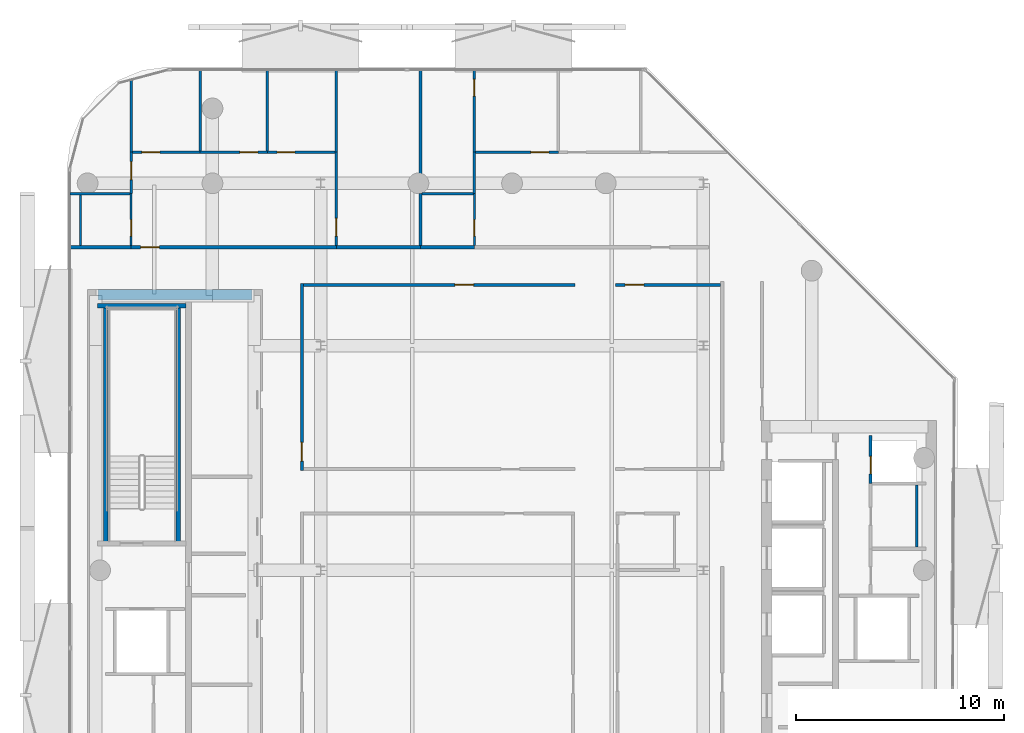
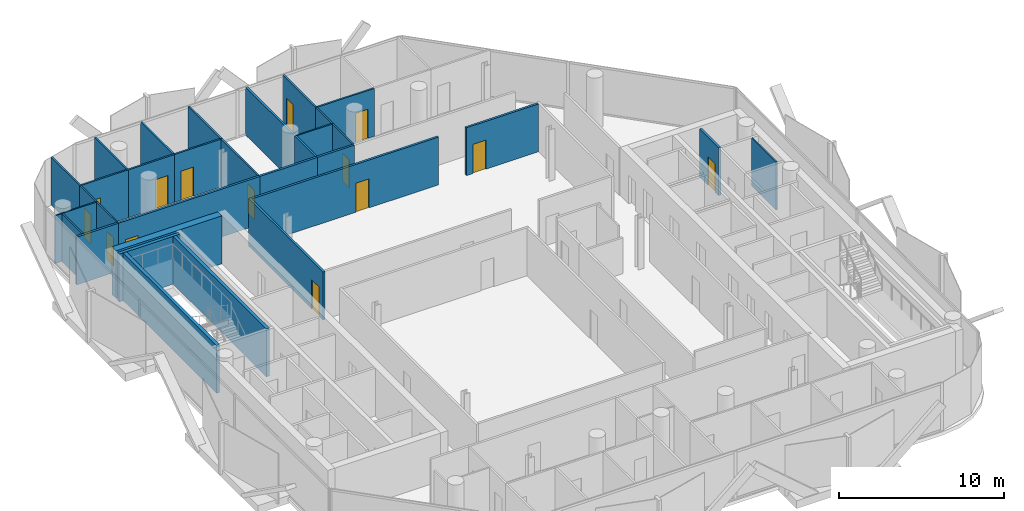
# One storey, part 7 of 17: 32 walls, 14 doors, 14 openings.
"""IFC4 building model written with IfcOpenShell, lengths in metres."""

from ifc_helpers import new_model, si_unit, direction, frame, frame_2d, origin, place, context, subcontext, project, spatial, rectangle, extrude, material, layer, layer_set, type_object, element, fill, save


model = new_model("IFC4")

# Units and contexts
model_context = context("Model", 3, precision=1e-05, world=origin(), true_north=direction((0.0, 1.0)))
body_context = subcontext(model_context, "Body", "Model", "MODEL_VIEW")
ifc_project = project(units=[si_unit("LENGTHUNIT", "METRE"), si_unit("AREAUNIT", "SQUARE_METRE"), si_unit("VOLUMEUNIT", "CUBIC_METRE"), si_unit("PLANEANGLEUNIT", "RADIAN"), si_unit("MASSUNIT", "GRAM", prefix="KILO")], contexts=[model_context])

# Site, building, storey
site_placement = place(None, origin())
site = spatial("IfcSite", under=ifc_project, at=site_placement, CompositionType="ELEMENT")
building_placement = place(site_placement, origin())
building = spatial("IfcBuilding", under=site, at=building_placement, Name="Khairoan Windgate Tower", CompositionType="ELEMENT")
storey_placement = place(building_placement, frame((0.0, 0.0, 308.0)))
storey = spatial("IfcBuildingStorey", under=building, at=storey_placement, Name="L74", CompositionType="ELEMENT", Elevation=308.0)

# Wall
ifc_material_1 = material(Name="Moisture-Resistant Gypsum Partition", Category="gypsum")
ifc_layer_1 = layer(ifc_material_1, 0.10009765625, Name="Moisture-Resistant Gypsum Partition")
ifc_layer_set_1 = layer_set([ifc_layer_1], Name="Moisture-Resistant Gypsum Partition")
wall_type_1 = type_object("IfcWallType", Name="Bathroom Wet-Area Partition Wall", PredefinedType="PARTITIONING", material=ifc_layer_set_1)
wall_1_placement = place(storey_placement, frame((-21.2548828125, 18.10009765625, 0.0), z_axis=(0.0, 0.0, 1.0), x_axis=(1.0, 0.0, 0.0)))
element("IfcWall", 1, at=wall_1_placement, inside=storey, type_object=wall_type_1, Name="L74 Interior Partition 040", PredefinedType="PARTITIONING", context=body_context, shape_type="SweptSolid", body=[
    extrude(rectangle(XDim=2.894775390625, YDim=0.10009765625, at=frame_2d((1.447265625, 0.0))), origin(), (0.0, 0.0, 1.0), 3.5400390625),
])

# Wall, opening, door
wall_2_placement = place(storey_placement, frame((-18.31005859375, 15.60009765625, 0.0), z_axis=(0.0, 0.0, 1.0), x_axis=(0.0, 1.0, 0.0)))
wall_2 = element("IfcWall", 2, at=wall_2_placement, inside=storey, type_object=wall_type_1, Name="L74 Interior Partition 041", PredefinedType="PARTITIONING", context=body_context, shape_type="SweptSolid", body=[
    extrude(rectangle(XDim=2.5, YDim=0.10009765625, at=frame_2d((1.25, 0.0))), origin(), (0.0, 0.0, 1.0), 3.5400390625),
])
opening_1_placement = place(wall_2_placement, frame((0.4599609375, 0.0, 0.0)))
opening_1 = element("IfcOpeningElement", 3, at=opening_1_placement, cuts=wall_2, Name="Opening ID-BTH", PredefinedType="OPENING", context=body_context, shape_type="SweptSolid", body=[
    extrude(rectangle(XDim=0.800048828125, YDim=2.10009765625, at=frame_2d((0.39990234375, 1.050048828125))), frame((0.0, 0.06005859375, 0.0), z_axis=(0.0, -1.0, 0.0), x_axis=(1.0, 0.0, 0.0)), (0.0, 0.0, 1.0), 0.1201171875),
])
ifc_material_2 = material(Name="Teak Veneer Timber Leaf", Category="wood")
door_type_1 = type_object("IfcDoorType", Name="Internal Bathroom Door ID-BTH 800x2100", OperationType="NOTDEFINED", PredefinedType="DOOR", material=ifc_material_2)
door_1_placement = place(opening_1_placement, origin())
door_1 = element("IfcDoor", 4, at=door_1_placement, inside=storey, type_object=door_type_1, Name="L74 L74-35-L74-37 Door", OperationType="SINGLE_SWING_LEFT", OverallHeight=2.10009765625, OverallWidth=0.800048828125, PredefinedType="DOOR", context=body_context, shape_type="SweptSolid", body=[
    extrude(rectangle(XDim=0.800048828125, YDim=2.10009765625, at=frame_2d((0.39990234375, 1.050048828125))), frame((0.0, 0.02490234375, 0.0), z_axis=(0.0, -1.0, 0.0), x_axis=(1.0, 0.0, 0.0)), (0.0, 0.0, 1.0), 0.050048828125),
])
fill(opening_1, door_1)

# Wall
wall_3_placement = place(storey_placement, frame((-4.330078125, 18.10009765625, 0.0), z_axis=(0.0, 0.0, 1.0), x_axis=(1.0, 0.0, 0.0)))
element("IfcWall", 5, at=wall_3_placement, inside=storey, type_object=wall_type_1, Name="L74 Interior Partition 053", PredefinedType="PARTITIONING", context=body_context, shape_type="SweptSolid", body=[
    extrude(rectangle(XDim=2.469970703125, YDim=0.10009765625, at=frame_2d((1.23486328125, 0.0))), origin(), (0.0, 0.0, 1.0), 3.5400390625),
])

# Wall, opening, door
wall_4_placement = place(storey_placement, frame((-1.81005859375, 15.60009765625, 0.0), z_axis=(0.0, 0.0, 1.0), x_axis=(0.0, 1.0, 0.0)))
wall_4 = element("IfcWall", 6, at=wall_4_placement, inside=storey, type_object=wall_type_1, Name="L74 Interior Partition 054", PredefinedType="PARTITIONING", context=body_context, shape_type="SweptSolid", body=[
    extrude(rectangle(XDim=2.5, YDim=0.10009765625, at=frame_2d((1.25, 0.0))), origin(), (0.0, 0.0, 1.0), 3.5400390625),
])
opening_2_placement = place(wall_4_placement, frame((0.4599609375, 0.0, 0.0)))
opening_2 = element("IfcOpeningElement", 7, at=opening_2_placement, cuts=wall_4, Name="Opening ID-BTH", PredefinedType="OPENING", context=body_context, shape_type="SweptSolid", body=[
    extrude(rectangle(XDim=0.800048828125, YDim=2.10009765625, at=frame_2d((0.39990234375, 1.050048828125))), frame((0.0, 0.06005859375, 0.0), z_axis=(0.0, -1.0, 0.0), x_axis=(1.0, 0.0, 0.0)), (0.0, 0.0, 1.0), 0.1201171875),
])
door_2_placement = place(opening_2_placement, origin())
door_2 = element("IfcDoor", 8, at=door_2_placement, inside=storey, type_object=door_type_1, Name="L74 L74-42-L74-44 Door", OperationType="SINGLE_SWING_LEFT", OverallHeight=2.10009765625, OverallWidth=0.800048828125, PredefinedType="DOOR", context=body_context, shape_type="SweptSolid", body=[
    extrude(rectangle(XDim=0.800048828125, YDim=2.10009765625, at=frame_2d((0.39990234375, 1.050048828125))), frame((0.0, 0.02490234375, 0.0), z_axis=(0.0, -1.0, 0.0), x_axis=(1.0, 0.0, 0.0)), (0.0, 0.0, 1.0), 0.050048828125),
])
fill(opening_2, door_2)

# Walls
wall_5_placement = place(storey_placement, frame((19.449951171875, 4.090087890625, 0.0), z_axis=(0.0, 0.0, 1.0), x_axis=(0.0, -1.0, 0.0)))
element("IfcWall", 9, at=wall_5_placement, inside=storey, type_object=wall_type_1, Name="L74 Wet Room Side Wall 086", PredefinedType="PARTITIONING", context=body_context, shape_type="SweptSolid", body=[
    extrude(rectangle(XDim=2.97998046875, YDim=0.10009765625, at=frame_2d((1.489990234375, 0.0))), origin(), (0.0, 0.0, 1.0), 3.5400390625),
])
wall_6_placement = place(storey_placement, frame((-20.739990234375, 15.60009765625, 0.0), z_axis=(0.0, 0.0, 1.0), x_axis=(0.0, 1.0, 0.0)))
element("IfcWall", 10, at=wall_6_placement, inside=storey, type_object=wall_type_1, Name="L74 Wet Room Side Wall 087", PredefinedType="PARTITIONING", context=body_context, shape_type="SweptSolid", body=[
    extrude(rectangle(XDim=2.449951171875, YDim=0.10009765625, at=frame_2d((1.22509765625, 0.0))), origin(), (0.0, 0.0, 1.0), 3.5400390625),
])
ifc_material_3 = material(Name="Acoustic Fire-Rated Gypsum Partition", Category="gypsum")
ifc_layer_2 = layer(ifc_material_3, 0.139892578125, Name="Acoustic Fire-Rated Gypsum Partition")
ifc_layer_set_2 = layer_set([ifc_layer_2], Name="Acoustic Fire-Rated Gypsum Partition")
wall_type_2 = type_object("IfcWallType", Name="Inter-Tenancy Compartment Wall", PredefinedType="PARTITIONING", material=ifc_layer_set_2)
wall_7_placement = place(storey_placement, frame((-4.39990234375, 15.60009765625, 0.0), z_axis=(0.0, 0.0, 1.0), x_axis=(0.0, 1.0, 0.0)))
element("IfcWall", 11, at=wall_7_placement, inside=storey, type_object=wall_type_2, Name="L74 Interior Partition 049", PredefinedType="PARTITIONING", context=body_context, shape_type="SweptSolid", body=[
    extrude(rectangle(XDim=2.5, YDim=0.139892578125, at=frame_2d((1.25, 0.0))), origin(), (0.0, 0.0, 1.0), 3.5400390625),
])
wall_8_placement = place(storey_placement, frame((-4.39990234375, 18.10009765625, 0.0), z_axis=(0.0, 0.0, 1.0), x_axis=(0.0, 1.0, 0.0)))
element("IfcWall", 12, at=wall_8_placement, inside=storey, type_object=wall_type_2, Name="L74 Interior Partition 050", PredefinedType="PARTITIONING", context=body_context, shape_type="SweptSolid", body=[
    extrude(rectangle(XDim=5.954833984375, YDim=0.139892578125, at=frame_2d((2.9775390625, 0.0))), origin(), (0.0, 0.0, 1.0), 3.5400390625),
])

# Wall, opening, door
ifc_material_4 = material(Name="Gypsum Stud Partition", Category="gypsum")
ifc_layer_3 = layer(ifc_material_4, 0.1201171875, Name="Gypsum Stud Partition")
ifc_layer_set_3 = layer_set([ifc_layer_3], Name="Gypsum Stud Partition")
wall_type_3 = type_object("IfcWallType", Name="Internal Room Partition Wall", PredefinedType="PARTITIONING", material=ifc_layer_set_3)
wall_9_placement = place(storey_placement, frame((-18.31005859375, 18.10009765625, 0.0), z_axis=(0.0, 0.0, 1.0), x_axis=(0.0, 1.0, 0.0)))
wall_9 = element("IfcWall", 13, at=wall_9_placement, inside=storey, type_object=wall_type_3, Name="L74 Interior Partition 042", PredefinedType="PARTITIONING", context=body_context, shape_type="SweptSolid", body=[
    extrude(rectangle(XDim=2.0, YDim=0.1201171875, at=frame_2d((1.0, 0.0))), origin(), (0.0, 0.0, 1.0), 3.5400390625),
])
opening_3_placement = place(wall_9_placement, frame((0.679931640625, 0.0, 0.0)))
opening_3 = element("IfcOpeningElement", 14, at=opening_3_placement, cuts=wall_9, Name="Opening ID-RM", PredefinedType="OPENING", context=body_context, shape_type="SweptSolid", body=[
    extrude(rectangle(XDim=0.860107421875, YDim=2.14990234375, at=frame_2d((0.43017578125, 1.074951171875))), frame((0.0, 0.070068359375, 0.0), z_axis=(0.0, -1.0, 0.0), x_axis=(1.0, 0.0, 0.0)), (0.0, 0.0, 1.0), 0.14013671875),
])
ifc_material_5 = material(Name="Teak Veneer Timber Leaf", Category="wood")
door_type_2 = type_object("IfcDoorType", Name="Internal Bedroom and Office Door ID-RM 860x2150", OperationType="NOTDEFINED", PredefinedType="DOOR", material=ifc_material_5)
door_3_placement = place(opening_3_placement, origin())
door_3 = element("IfcDoor", 15, at=door_3_placement, inside=storey, type_object=door_type_2, Name="L74 L74-36-L74-37 Door", OperationType="SINGLE_SWING_RIGHT", OverallHeight=2.14990234375, OverallWidth=0.860107421875, PredefinedType="DOOR", context=body_context, shape_type="SweptSolid", body=[
    extrude(rectangle(XDim=0.860107421875, YDim=2.14990234375, at=frame_2d((0.43017578125, 1.074951171875))), frame((0.0, 0.02490234375, 0.0), z_axis=(0.0, -1.0, 0.0), x_axis=(1.0, 0.0, 0.0)), (0.0, 0.0, 1.0), 0.050048828125),
])
fill(opening_3, door_3)

# Wall
wall_10_placement = place(storey_placement, frame((-18.31005859375, 20.10009765625, 0.0), z_axis=(0.0, 0.0, 1.0), x_axis=(0.0, 1.0, 0.0)))
element("IfcWall", 16, at=wall_10_placement, inside=storey, type_object=wall_type_3, Name="L74 Interior Partition 043", PredefinedType="PARTITIONING", context=body_context, shape_type="SweptSolid", body=[
    extrude(rectangle(XDim=3.468505859375, YDim=0.1201171875, at=frame_2d((1.734375, 0.0))), origin(), (0.0, 0.0, 1.0), 3.5400390625),
])

# Wall, opening, door
wall_11_placement = place(storey_placement, frame((-8.43994140625, 15.60009765625, 0.0), z_axis=(0.0, 0.0, 1.0), x_axis=(0.0, 1.0, 0.0)))
wall_11 = element("IfcWall", 17, at=wall_11_placement, inside=storey, type_object=wall_type_3, Name="L74 Interior Partition 044", PredefinedType="PARTITIONING", context=body_context, shape_type="SweptSolid", body=[
    extrude(rectangle(XDim=4.5, YDim=0.1201171875, at=frame_2d((2.25, 0.0))), origin(), (0.0, 0.0, 1.0), 3.5400390625),
])
opening_4_placement = place(wall_11_placement, frame((0.4599609375, 0.0, 0.0)))
opening_4 = element("IfcOpeningElement", 18, at=opening_4_placement, cuts=wall_11, Name="Opening ID-RM", PredefinedType="OPENING", context=body_context, shape_type="SweptSolid", body=[
    extrude(rectangle(XDim=0.860107421875, YDim=2.14990234375, at=frame_2d((0.43017578125, 1.074951171875))), frame((0.0, 0.070068359375, 0.0), z_axis=(0.0, -1.0, 0.0), x_axis=(1.0, 0.0, 0.0)), (0.0, 0.0, 1.0), 0.14013671875),
])
door_4_placement = place(opening_4_placement, origin())
door_4 = element("IfcDoor", 19, at=door_4_placement, inside=storey, type_object=door_type_2, Name="L74 L74-37-L74-38 Door", OperationType="SINGLE_SWING_LEFT", OverallHeight=2.14990234375, OverallWidth=0.860107421875, PredefinedType="DOOR", context=body_context, shape_type="SweptSolid", body=[
    extrude(rectangle(XDim=0.860107421875, YDim=2.14990234375, at=frame_2d((0.43017578125, 1.074951171875))), frame((0.0, 0.02490234375, 0.0), z_axis=(0.0, -1.0, 0.0), x_axis=(1.0, 0.0, 0.0)), (0.0, 0.0, 1.0), 0.050048828125),
])
fill(opening_4, door_4)

wall_12_placement = place(storey_placement, frame((-18.25, 20.10009765625, 0.0), z_axis=(0.0, 0.0, 1.0), x_axis=(1.0, 0.0, 0.0)))
wall_12 = element("IfcWall", 20, at=wall_12_placement, inside=storey, type_object=wall_type_3, Name="L74 Interior Partition 045", PredefinedType="PARTITIONING", context=body_context, shape_type="SweptSolid", body=[
    extrude(rectangle(XDim=3.257080078125, YDim=0.1201171875, at=frame_2d((1.62841796875, 0.0))), origin(), (0.0, 0.0, 1.0), 3.5400390625),
])
opening_5_placement = place(wall_12_placement, frame((0.4599609375, 0.0, 0.0)))
opening_5 = element("IfcOpeningElement", 21, at=opening_5_placement, cuts=wall_12, Name="Opening ID-RM", PredefinedType="OPENING", context=body_context, shape_type="SweptSolid", body=[
    extrude(rectangle(XDim=0.860107421875, YDim=2.14990234375, at=frame_2d((0.43017578125, 1.074951171875))), frame((0.0, 0.070068359375, 0.0), z_axis=(0.0, -1.0, 0.0), x_axis=(1.0, 0.0, 0.0)), (0.0, 0.0, 1.0), 0.14013671875),
])
door_5_placement = place(opening_5_placement, origin())
door_5 = element("IfcDoor", 22, at=door_5_placement, inside=storey, type_object=door_type_2, Name="L74 L74-37-L74-39 Door", OperationType="SINGLE_SWING_RIGHT", OverallHeight=2.14990234375, OverallWidth=0.860107421875, PredefinedType="DOOR", context=body_context, shape_type="SweptSolid", body=[
    extrude(rectangle(XDim=0.860107421875, YDim=2.14990234375, at=frame_2d((0.43017578125, 1.074951171875))), frame((0.0, 0.02490234375, 0.0), z_axis=(0.0, -1.0, 0.0), x_axis=(1.0, 0.0, 0.0)), (0.0, 0.0, 1.0), 0.050048828125),
])
fill(opening_5, door_5)

wall_13_placement = place(storey_placement, frame((-14.992919921875, 20.10009765625, 0.0), z_axis=(0.0, 0.0, 1.0), x_axis=(1.0, 0.0, 0.0)))
wall_13 = element("IfcWall", 23, at=wall_13_placement, inside=storey, type_object=wall_type_3, Name="L74 Interior Partition 046", PredefinedType="PARTITIONING", context=body_context, shape_type="SweptSolid", body=[
    extrude(rectangle(XDim=3.23583984375, YDim=0.1201171875, at=frame_2d((1.617919921875, 0.0))), origin(), (0.0, 0.0, 1.0), 3.5400390625),
])
opening_6_placement = place(wall_13_placement, frame((1.916015625, 0.0, 0.0)))
opening_6 = element("IfcOpeningElement", 24, at=opening_6_placement, cuts=wall_13, Name="Opening ID-RM", PredefinedType="OPENING", context=body_context, shape_type="SweptSolid", body=[
    extrude(rectangle(XDim=0.860107421875, YDim=2.14990234375, at=frame_2d((0.43017578125, 1.074951171875))), frame((0.0, 0.070068359375, 0.0), z_axis=(0.0, -1.0, 0.0), x_axis=(1.0, 0.0, 0.0)), (0.0, 0.0, 1.0), 0.14013671875),
])
door_6_placement = place(opening_6_placement, origin())
door_6 = element("IfcDoor", 25, at=door_6_placement, inside=storey, type_object=door_type_2, Name="L74 L74-37-L74-40 Door", OperationType="SINGLE_SWING_LEFT", OverallHeight=2.14990234375, OverallWidth=0.860107421875, PredefinedType="DOOR", context=body_context, shape_type="SweptSolid", body=[
    extrude(rectangle(XDim=0.860107421875, YDim=2.14990234375, at=frame_2d((0.43017578125, 1.074951171875))), frame((0.0, 0.02490234375, 0.0), z_axis=(0.0, -1.0, 0.0), x_axis=(1.0, 0.0, 0.0)), (0.0, 0.0, 1.0), 0.050048828125),
])
fill(opening_6, door_6)

wall_14_placement = place(storey_placement, frame((-11.757080078125, 20.10009765625, 0.0), z_axis=(0.0, 0.0, 1.0), x_axis=(1.0, 0.0, 0.0)))
wall_14 = element("IfcWall", 26, at=wall_14_placement, inside=storey, type_object=wall_type_3, Name="L74 Interior Partition 047", PredefinedType="PARTITIONING", context=body_context, shape_type="SweptSolid", body=[
    extrude(rectangle(XDim=3.257080078125, YDim=0.1201171875, at=frame_2d((1.62841796875, 0.0))), origin(), (0.0, 0.0, 1.0), 3.5400390625),
])
opening_7_placement = place(wall_14_placement, frame((0.4599609375, 0.0, 0.0)))
opening_7 = element("IfcOpeningElement", 27, at=opening_7_placement, cuts=wall_14, Name="Opening ID-RM", PredefinedType="OPENING", context=body_context, shape_type="SweptSolid", body=[
    extrude(rectangle(XDim=0.860107421875, YDim=2.14990234375, at=frame_2d((0.43017578125, 1.074951171875))), frame((0.0, 0.070068359375, 0.0), z_axis=(0.0, -1.0, 0.0), x_axis=(1.0, 0.0, 0.0)), (0.0, 0.0, 1.0), 0.14013671875),
])
door_7_placement = place(opening_7_placement, origin())
door_7 = element("IfcDoor", 28, at=door_7_placement, inside=storey, type_object=door_type_2, Name="L74 L74-37-L74-41 Door", OperationType="SINGLE_SWING_RIGHT", OverallHeight=2.14990234375, OverallWidth=0.860107421875, PredefinedType="DOOR", context=body_context, shape_type="SweptSolid", body=[
    extrude(rectangle(XDim=0.860107421875, YDim=2.14990234375, at=frame_2d((0.43017578125, 1.074951171875))), frame((0.0, 0.02490234375, 0.0), z_axis=(0.0, -1.0, 0.0), x_axis=(1.0, 0.0, 0.0)), (0.0, 0.0, 1.0), 0.050048828125),
])
fill(opening_7, door_7)

# Walls
wall_15_placement = place(storey_placement, frame((-8.43994140625, 20.10009765625, 0.0), z_axis=(0.0, 0.0, 1.0), x_axis=(0.0, 1.0, 0.0)))
element("IfcWall", 29, at=wall_15_placement, inside=storey, type_object=wall_type_3, Name="L74 Interior Partition 048", PredefinedType="PARTITIONING", context=body_context, shape_type="SweptSolid", body=[
    extrude(rectangle(XDim=3.954833984375, YDim=0.1201171875, at=frame_2d((1.9775390625, 0.0))), origin(), (0.0, 0.0, 1.0), 3.5400390625),
])
for number, where, z_axis, x_axis, name in (
    (30, (-14.992919921875, 20.159912109375, 0.0), (0.0, 0.0, 1.0), (0.0, 1.0, 0.0), "L74 Interior Partition 051"),
    (31, (-11.757080078125, 20.159912109375, 0.0), (0.0, 0.0, 1.0), (0.0, 1.0, 0.0), "L74 Interior Partition 052"),
):
    element("IfcWall", number, at=place(storey_placement, frame(where, z_axis=z_axis, x_axis=x_axis)), inside=storey, type_object=wall_type_3, Name=name, PredefinedType="PARTITIONING", context=body_context, shape_type="SweptSolid", body=[
        extrude(rectangle(XDim=3.89501953125, YDim=0.1201171875, at=frame_2d((1.947509765625, 0.0))), origin(), (0.0, 0.0, 1.0), 3.5400390625),
    ])
wall_16_placement = place(storey_placement, frame((-1.81005859375, 18.10009765625, 0.0), z_axis=(0.0, 0.0, 1.0), x_axis=(0.0, 1.0, 0.0)))
element("IfcWall", 32, at=wall_16_placement, inside=storey, type_object=wall_type_3, Name="L74 Interior Partition 055", PredefinedType="PARTITIONING", context=body_context, shape_type="SweptSolid", body=[
    extrude(rectangle(XDim=2.0, YDim=0.1201171875, at=frame_2d((1.0, 0.0))), origin(), (0.0, 0.0, 1.0), 3.5400390625),
])

# Wall, opening, door
wall_17_placement = place(storey_placement, frame((-1.81005859375, 20.10009765625, 0.0), z_axis=(0.0, 0.0, 1.0), x_axis=(0.0, 1.0, 0.0)))
wall_17 = element("IfcWall", 33, at=wall_17_placement, inside=storey, type_object=wall_type_3, Name="L74 Interior Partition 056", PredefinedType="PARTITIONING", context=body_context, shape_type="SweptSolid", body=[
    extrude(rectangle(XDim=3.954833984375, YDim=0.1201171875, at=frame_2d((1.9775390625, 0.0))), origin(), (0.0, 0.0, 1.0), 3.5400390625),
])
opening_8_placement = place(wall_17_placement, frame((2.695068359375, 0.0, 0.0)))
opening_8 = element("IfcOpeningElement", 34, at=opening_8_placement, cuts=wall_17, Name="Opening ID-BTH", PredefinedType="OPENING", context=body_context, shape_type="SweptSolid", body=[
    extrude(rectangle(XDim=0.800048828125, YDim=2.10009765625, at=frame_2d((0.39990234375, 1.050048828125))), frame((0.0, 0.070068359375, 0.0), z_axis=(0.0, -1.0, 0.0), x_axis=(1.0, 0.0, 0.0)), (0.0, 0.0, 1.0), 0.14013671875),
])
door_8_placement = place(opening_8_placement, origin())
door_8 = element("IfcDoor", 35, at=door_8_placement, inside=storey, type_object=door_type_1, Name="L74 L74-43-L74-45 Door", OperationType="SINGLE_SWING_RIGHT", OverallHeight=2.10009765625, OverallWidth=0.800048828125, PredefinedType="DOOR", context=body_context, shape_type="SweptSolid", body=[
    extrude(rectangle(XDim=0.800048828125, YDim=2.10009765625, at=frame_2d((0.39990234375, 1.050048828125))), frame((0.0, 0.02490234375, 0.0), z_axis=(0.0, -1.0, 0.0), x_axis=(1.0, 0.0, 0.0)), (0.0, 0.0, 1.0), 0.050048828125),
])
fill(opening_8, door_8)

wall_18_placement = place(storey_placement, frame((-1.75, 20.10009765625, 0.0), z_axis=(0.0, 0.0, 1.0), x_axis=(1.0, 0.0, 0.0)))
wall_18 = element("IfcWall", 36, at=wall_18_placement, inside=storey, type_object=wall_type_3, Name="L74 Interior Partition 057", PredefinedType="PARTITIONING", context=body_context, shape_type="SweptSolid", body=[
    extrude(rectangle(XDim=3.97705078125, YDim=0.1201171875, at=frame_2d((1.988525390625, 0.0))), origin(), (0.0, 0.0, 1.0), 3.5400390625),
])
opening_9_placement = place(wall_18_placement, frame((2.656982421875, 0.0, 0.0)))
opening_9 = element("IfcOpeningElement", 37, at=opening_9_placement, cuts=wall_18, Name="Opening ID-RM", PredefinedType="OPENING", context=body_context, shape_type="SweptSolid", body=[
    extrude(rectangle(XDim=0.860107421875, YDim=2.14990234375, at=frame_2d((0.43017578125, 1.074951171875))), frame((0.0, 0.070068359375, 0.0), z_axis=(0.0, -1.0, 0.0), x_axis=(1.0, 0.0, 0.0)), (0.0, 0.0, 1.0), 0.14013671875),
])
door_9_placement = place(opening_9_placement, origin())
door_9 = element("IfcDoor", 38, at=door_9_placement, inside=storey, type_object=door_type_2, Name="L74 L74-44-L74-45 Door", OperationType="SINGLE_SWING_LEFT", OverallHeight=2.14990234375, OverallWidth=0.860107421875, PredefinedType="DOOR", context=body_context, shape_type="SweptSolid", body=[
    extrude(rectangle(XDim=0.860107421875, YDim=2.14990234375, at=frame_2d((0.43017578125, 1.074951171875))), frame((0.0, 0.02490234375, 0.0), z_axis=(0.0, -1.0, 0.0), x_axis=(1.0, 0.0, 0.0)), (0.0, 0.0, 1.0), 0.050048828125),
])
fill(opening_9, door_9)

ifc_material_6 = material(Name="Concrete C40/50", Category="concrete")
ifc_layer_4 = layer(ifc_material_6, 0.159912109375, Name="Concrete C40/50")
ifc_layer_set_4 = layer_set([ifc_layer_4], Name="Concrete C40/50")
wall_type_4 = type_object("IfcWallType", Name="Plant and Refuge Compartment Wall", PredefinedType="PARTITIONING", material=ifc_layer_set_4)
wall_19_placement = place(storey_placement, frame((17.22998046875, 4.169921875, 0.0), z_axis=(0.0, 0.0, 1.0), x_axis=(0.0, 1.0, 0.0)))
wall_19 = element("IfcWall", 39, at=wall_19_placement, inside=storey, type_object=wall_type_4, Name="L74 Interior Partition 008", PredefinedType="PARTITIONING", context=body_context, shape_type="SweptSolid", body=[
    extrude(rectangle(XDim=2.320068359375, YDim=0.159912109375, at=frame_2d((1.16015625, 0.0))), origin(), (0.0, 0.0, 1.0), 3.5400390625),
])
opening_10_placement = place(wall_19_placement, frame((0.4599609375, 0.0, 0.0)))
opening_10 = element("IfcOpeningElement", 40, at=opening_10_placement, cuts=wall_19, Name="Opening FD-SRV", PredefinedType="OPENING", context=body_context, shape_type="SweptSolid", body=[
    extrude(rectangle(XDim=0.85009765625, YDim=2.10009765625, at=frame_2d((0.425048828125, 1.050048828125))), frame((0.0, 0.08984375, 0.0), z_axis=(0.0, -1.0, 0.0), x_axis=(1.0, 0.0, 0.0)), (0.0, 0.0, 1.0), 0.179931640625),
])
ifc_material_7 = material(Name="Steel S355", Category="steel")
door_type_3 = type_object("IfcDoorType", Name="Core Service and Riser Fire Door FD-SRV 850x2100", OperationType="NOTDEFINED", PredefinedType="DOOR", material=ifc_material_7)
door_10_placement = place(opening_10_placement, origin())
door_10 = element("IfcDoor", 41, at=door_10_placement, inside=storey, type_object=door_type_3, Name="L74 L74-17-L74-18 Door", OperationType="SINGLE_SWING_RIGHT", OverallHeight=2.10009765625, OverallWidth=0.85009765625, PredefinedType="DOOR", context=body_context, shape_type="SweptSolid", body=[
    extrude(rectangle(XDim=0.85009765625, YDim=2.10009765625, at=frame_2d((0.425048828125, 1.050048828125))), frame((0.0, 0.02490234375, 0.0), z_axis=(0.0, -1.0, 0.0), x_axis=(1.0, 0.0, 0.0)), (0.0, 0.0, 1.0), 0.050048828125),
])
fill(opening_10, door_10)

ifc_material_8 = material(Name="Acoustic Fire-Rated Gypsum Partition", Category="gypsum")
ifc_layer_5 = layer(ifc_material_8, 0.14990234375, Name="Acoustic Fire-Rated Gypsum Partition")
ifc_layer_set_5 = layer_set([ifc_layer_5], Name="Acoustic Fire-Rated Gypsum Partition")
wall_type_5 = type_object("IfcWallType", Name="Rated Corridor Partition Wall", PredefinedType="PARTITIONING", material=ifc_layer_set_5)
wall_20_placement = place(storey_placement, frame((-10.10009765625, 4.7900390625, 0.0), z_axis=(0.0, 0.0, 1.0), x_axis=(0.0, 1.0, 0.0)))
wall_20 = element("IfcWall", 42, at=wall_20_placement, inside=storey, type_object=wall_type_5, Name="L74 Interior Partition 015", PredefinedType="PARTITIONING", context=body_context, shape_type="SweptSolid", body=[
    extrude(rectangle(XDim=9.0048828125, YDim=0.14990234375, at=frame_2d((4.50244140625, 0.0))), origin(), (0.0, 0.0, 1.0), 3.5400390625),
])
opening_11_placement = place(wall_20_placement, frame((0.4599609375, 0.0, 0.0)))
opening_11 = element("IfcOpeningElement", 43, at=opening_11_placement, cuts=wall_20, Name="Opening FD-ENT", PredefinedType="OPENING", context=body_context, shape_type="SweptSolid", body=[
    extrude(rectangle(XDim=0.89990234375, YDim=2.14990234375, at=frame_2d((0.449951171875, 1.074951171875))), frame((0.0, 0.0849609375, 0.0), z_axis=(0.0, -1.0, 0.0), x_axis=(1.0, 0.0, 0.0)), (0.0, 0.0, 1.0), 0.169921875),
])
ifc_material_9 = material(Name="Timber Fire-Rated Core", Category="wood")
door_type_4 = type_object("IfcDoorType", Name="Unit and Office Fire Entrance Door FD-ENT 900x2150", OperationType="NOTDEFINED", PredefinedType="DOOR", material=ifc_material_9)
door_11_placement = place(opening_11_placement, origin())
door_11 = element("IfcDoor", 44, at=door_11_placement, inside=storey, type_object=door_type_4, Name="L74 L74-29-L74-62 Door", OperationType="SINGLE_SWING_LEFT", OverallHeight=2.14990234375, OverallWidth=0.89990234375, PredefinedType="DOOR", context=body_context, shape_type="SweptSolid", body=[
    extrude(rectangle(XDim=0.89990234375, YDim=2.14990234375, at=frame_2d((0.449951171875, 1.074951171875))), frame((0.0, 0.02490234375, 0.0), z_axis=(0.0, -1.0, 0.0), x_axis=(1.0, 0.0, 0.0)), (0.0, 0.0, 1.0), 0.050048828125),
])
fill(opening_11, door_11)

# Wall
wall_21_placement = place(storey_placement, frame((-21.2548828125, 15.52490234375, 0.0), z_axis=(0.0, 0.0, 1.0), x_axis=(1.0, 0.0, 0.0)))
element("IfcWall", 45, at=wall_21_placement, inside=storey, type_object=wall_type_5, Name="L74 Interior Partition 027", PredefinedType="PARTITIONING", context=body_context, shape_type="SweptSolid", body=[
    extrude(rectangle(XDim=2.94482421875, YDim=0.14990234375, at=frame_2d((1.472412109375, 0.0))), origin(), (0.0, 0.0, 1.0), 3.5400390625),
])

# Wall, opening, door
wall_22_placement = place(storey_placement, frame((-18.31005859375, 15.52490234375, 0.0), z_axis=(0.0, 0.0, 1.0), x_axis=(1.0, 0.0, 0.0)))
wall_22 = element("IfcWall", 46, at=wall_22_placement, inside=storey, type_object=wall_type_5, Name="L74 Interior Partition 028", PredefinedType="PARTITIONING", context=body_context, shape_type="SweptSolid", body=[
    extrude(rectangle(XDim=9.8701171875, YDim=0.14990234375, at=frame_2d((4.93505859375, 0.0))), origin(), (0.0, 0.0, 1.0), 3.5400390625),
])
opening_12_placement = place(wall_22_placement, frame((0.4599609375, 0.0, 0.0)))
opening_12 = element("IfcOpeningElement", 47, at=opening_12_placement, cuts=wall_22, Name="Opening FD-ENT", PredefinedType="OPENING", context=body_context, shape_type="SweptSolid", body=[
    extrude(rectangle(XDim=0.89990234375, YDim=2.14990234375, at=frame_2d((0.449951171875, 1.074951171875))), frame((0.0, 0.0849609375, 0.0), z_axis=(0.0, -1.0, 0.0), x_axis=(1.0, 0.0, 0.0)), (0.0, 0.0, 1.0), 0.169921875),
])
door_12_placement = place(opening_12_placement, origin())
door_12 = element("IfcDoor", 48, at=door_12_placement, inside=storey, type_object=door_type_4, Name="L74 L74-33-L74-37 Door", OperationType="SINGLE_SWING_LEFT", OverallHeight=2.14990234375, OverallWidth=0.89990234375, PredefinedType="DOOR", context=body_context, shape_type="SweptSolid", body=[
    extrude(rectangle(XDim=0.89990234375, YDim=2.14990234375, at=frame_2d((0.449951171875, 1.074951171875))), frame((0.0, 0.02490234375, 0.0), z_axis=(0.0, -1.0, 0.0), x_axis=(1.0, 0.0, 0.0)), (0.0, 0.0, 1.0), 0.050048828125),
])
fill(opening_12, door_12)

# Walls
wall_23_placement = place(storey_placement, frame((-8.43994140625, 15.52490234375, 0.0), z_axis=(0.0, 0.0, 1.0), x_axis=(1.0, 0.0, 0.0)))
element("IfcWall", 49, at=wall_23_placement, inside=storey, type_object=wall_type_5, Name="L74 Interior Partition 029", PredefinedType="PARTITIONING", context=body_context, shape_type="SweptSolid", body=[
    extrude(rectangle(XDim=4.0400390625, YDim=0.14990234375, at=frame_2d((2.02001953125, 0.0))), origin(), (0.0, 0.0, 1.0), 3.5400390625),
])
wall_24_placement = place(storey_placement, frame((-4.39990234375, 15.52490234375, 0.0), z_axis=(0.0, 0.0, 1.0), x_axis=(1.0, 0.0, 0.0)))
element("IfcWall", 50, at=wall_24_placement, inside=storey, type_object=wall_type_5, Name="L74 Interior Partition 030", PredefinedType="PARTITIONING", context=body_context, shape_type="SweptSolid", body=[
    extrude(rectangle(XDim=2.58984375, YDim=0.14990234375, at=frame_2d((1.294921875, 0.0))), origin(), (0.0, 0.0, 1.0), 3.5400390625),
])

# Wall, opening, door
wall_25_placement = place(storey_placement, frame((-10.02490234375, 13.719970703125, 0.0), z_axis=(0.0, 0.0, 1.0), x_axis=(1.0, 0.0, 0.0)))
wall_25 = element("IfcWall", 51, at=wall_25_placement, inside=storey, type_object=wall_type_5, Name="L74 Interior Partition 032", PredefinedType="PARTITIONING", context=body_context, shape_type="SweptSolid", body=[
    extrude(rectangle(XDim=13.054931640625, YDim=0.14990234375, at=frame_2d((6.52734375, 0.0))), origin(), (0.0, 0.0, 1.0), 3.5400390625),
])
opening_13_placement = place(wall_25_placement, frame((7.28125, 0.0, 0.0)))
opening_13 = element("IfcOpeningElement", 52, at=opening_13_placement, cuts=wall_25, Name="Opening FD-ENT", PredefinedType="OPENING", context=body_context, shape_type="SweptSolid", body=[
    extrude(rectangle(XDim=0.89990234375, YDim=2.14990234375, at=frame_2d((0.449951171875, 1.074951171875))), frame((0.0, 0.0849609375, 0.0), z_axis=(0.0, -1.0, 0.0), x_axis=(1.0, 0.0, 0.0)), (0.0, 0.0, 1.0), 0.169921875),
])
door_13_placement = place(opening_13_placement, origin())
door_13 = element("IfcDoor", 53, at=door_13_placement, inside=storey, type_object=door_type_4, Name="L74 L74-33-L74-62 Door", OperationType="SINGLE_SWING_LEFT", OverallHeight=2.14990234375, OverallWidth=0.89990234375, PredefinedType="DOOR", context=body_context, shape_type="SweptSolid", body=[
    extrude(rectangle(XDim=0.89990234375, YDim=2.14990234375, at=frame_2d((0.449951171875, 1.074951171875))), frame((0.0, 0.02490234375, 0.0), z_axis=(0.0, -1.0, 0.0), x_axis=(1.0, 0.0, 0.0)), (0.0, 0.0, 1.0), 0.050048828125),
])
fill(opening_13, door_13)

wall_26_placement = place(storey_placement, frame((4.969970703125, 13.719970703125, 0.0), z_axis=(0.0, 0.0, 1.0), x_axis=(1.0, 0.0, 0.0)))
wall_26 = element("IfcWall", 54, at=wall_26_placement, inside=storey, type_object=wall_type_5, Name="L74 Interior Partition 033", PredefinedType="PARTITIONING", context=body_context, shape_type="SweptSolid", body=[
    extrude(rectangle(XDim=5.054931640625, YDim=0.14990234375, at=frame_2d((2.52734375, 0.0))), origin(), (0.0, 0.0, 1.0), 3.5400390625),
])
opening_14_placement = place(wall_26_placement, frame((0.4599609375, 0.0, 0.0)))
opening_14 = element("IfcOpeningElement", 55, at=opening_14_placement, cuts=wall_26, Name="Opening FD-ENT", PredefinedType="OPENING", context=body_context, shape_type="SweptSolid", body=[
    extrude(rectangle(XDim=0.89990234375, YDim=2.14990234375, at=frame_2d((0.449951171875, 1.074951171875))), frame((0.0, 0.0849609375, 0.0), z_axis=(0.0, -1.0, 0.0), x_axis=(1.0, 0.0, 0.0)), (0.0, 0.0, 1.0), 0.169921875),
])
door_14_placement = place(opening_14_placement, origin())
door_14 = element("IfcDoor", 56, at=door_14_placement, inside=storey, type_object=door_type_4, Name="L74 L74-33-L74-64 Door", OperationType="SINGLE_SWING_RIGHT", OverallHeight=2.14990234375, OverallWidth=0.89990234375, PredefinedType="DOOR", context=body_context, shape_type="SweptSolid", body=[
    extrude(rectangle(XDim=0.89990234375, YDim=2.14990234375, at=frame_2d((0.449951171875, 1.074951171875))), frame((0.0, 0.02490234375, 0.0), z_axis=(0.0, -1.0, 0.0), x_axis=(1.0, 0.0, 0.0)), (0.0, 0.0, 1.0), 0.050048828125),
])
fill(opening_14, door_14)

# Walls
ifc_material_10 = material(Name="Concrete C50/60", Category="concrete")
ifc_layer_6 = layer(ifc_material_10, 0.5, Name="Concrete C50/60")
ifc_layer_set_6 = layer_set([ifc_layer_6], Name="Concrete C50/60")
wall_type_6 = type_object("IfcWallType", Name="Shear Wall CW-W3 500mm", PredefinedType="SHEAR", material=ifc_layer_set_6)
wall_27_placement = place(storey_placement, frame((-19.89990234375, 13.25, 0.0), z_axis=(0.0, 0.0, 1.0), x_axis=(1.0, 0.0, 0.0)))
element("IfcWall", 57, at=wall_27_placement, inside=storey, type_object=wall_type_6, Name="W Core North Shear Wall L74", PredefinedType="SHEAR", context=body_context, shape_type="SweptSolid", body=[
    extrude(rectangle(XDim=7.39990234375, YDim=0.5, at=frame_2d((3.699951171875, 0.0))), origin(), (0.0, 0.0, 1.0), 3.5400390625),
])
ifc_material_11 = material(Name="Concrete C50/60", Category="concrete")
ifc_layer_7 = layer(ifc_material_11, 0.219970703125, Name="Concrete C50/60")
ifc_layer_set_7 = layer_set([ifc_layer_7], Name="Concrete C50/60")
wall_type_7 = type_object("IfcWallType", Name="Shear Wall SW-ST 220mm", PredefinedType="SHEAR", material=ifc_layer_set_7)
for number, where, z_axis, x_axis, name in (
    (58, (-16.0400390625, 1.2900390625, 0.0), (0.0, 0.0, 1.0), (0.0, 1.0, 0.0), "L74 Stair ST2 East Bearing Wall"),
    (59, (-19.530029296875, 1.2900390625, 0.0), (0.0, 0.0, 1.0), (0.0, 1.0, 0.0), "L74 Stair ST2 West Bearing Wall"),
):
    element("IfcWall", number, at=place(storey_placement, frame(where, z_axis=z_axis, x_axis=x_axis)), inside=storey, type_object=wall_type_7, Name=name, PredefinedType="SHEAR", context=body_context, shape_type="SweptSolid", body=[
        extrude(rectangle(XDim=11.419921875, YDim=0.219970703125, at=frame_2d((5.7099609375, 0.0))), origin(), (0.0, 0.0, 1.0), 3.5400390625),
    ])
wall_28_placement = place(storey_placement, frame((-19.919921875, 12.7099609375, 0.0), z_axis=(0.0, 0.0, 1.0), x_axis=(1.0, 0.0, 0.0)))
element("IfcWall", 60, at=wall_28_placement, inside=storey, type_object=wall_type_7, Name="L74 Stair ST2 North Bearing Wall", PredefinedType="SHEAR", context=body_context, shape_type="SweptSolid", body=[
    extrude(rectangle(XDim=4.239990234375, YDim=0.219970703125, at=frame_2d((2.1201171875, 0.0))), origin(), (0.0, 0.0, 1.0), 3.5400390625),
])

save(model, "model.ifc")
